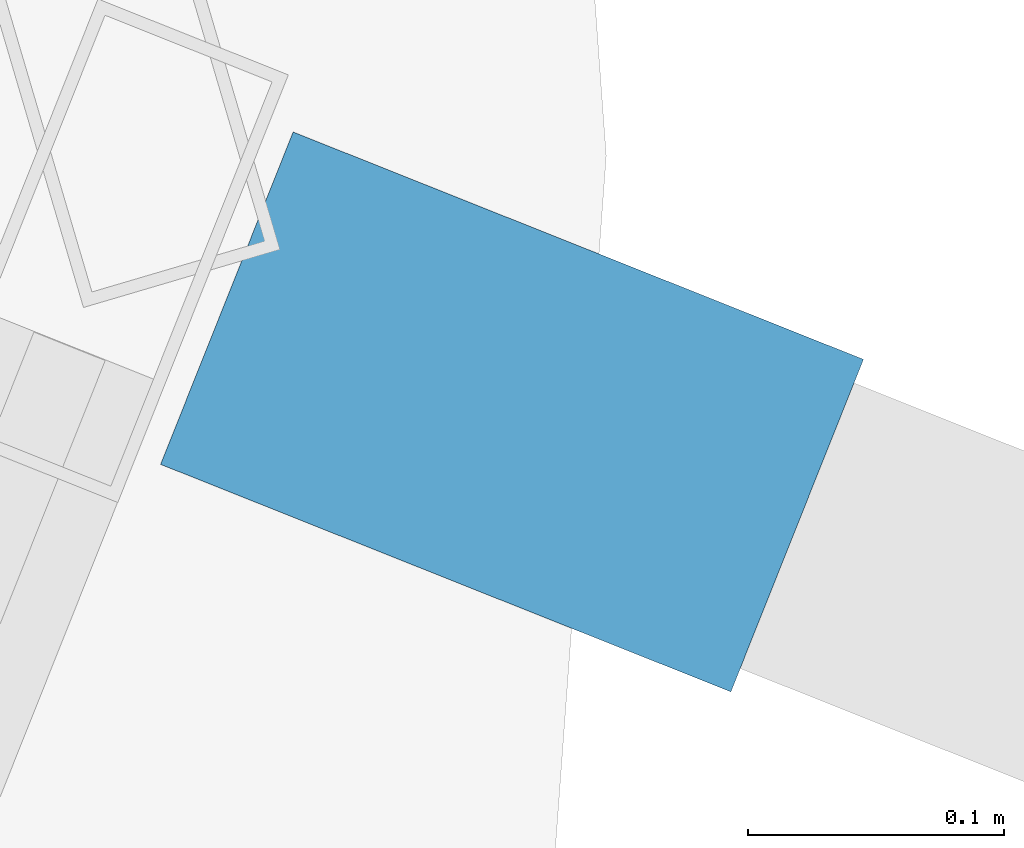
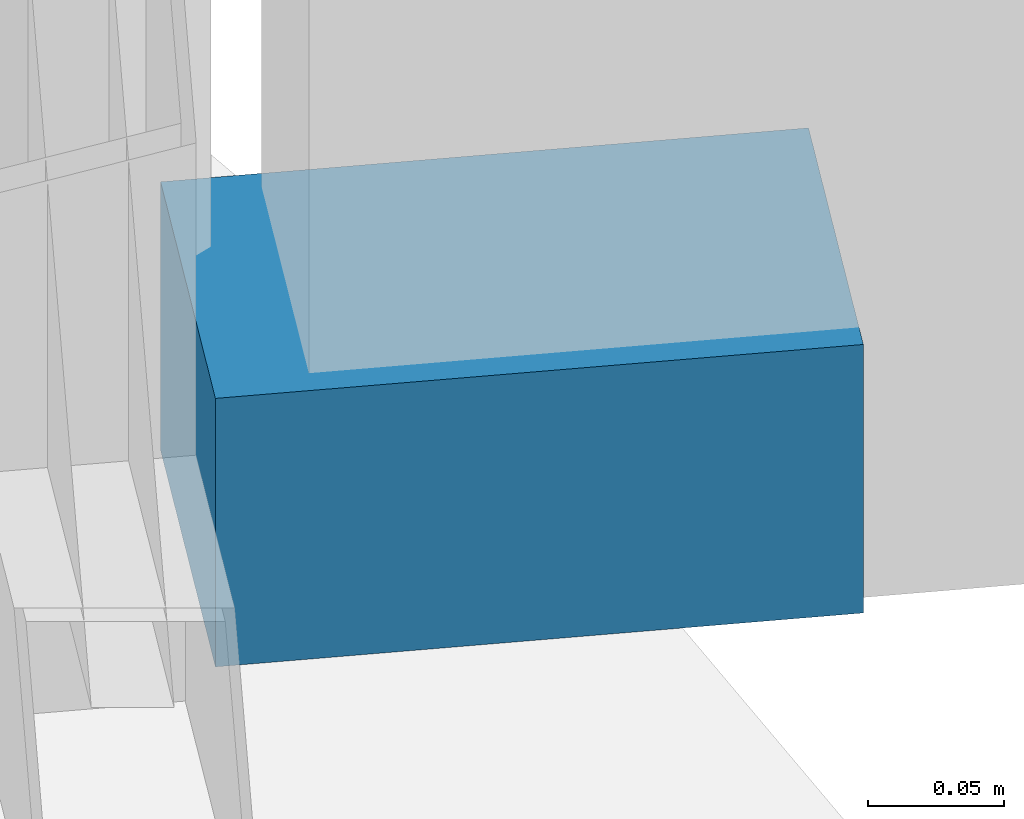
# One storey, part 29 of 33: 1 discrete accessory.
"""IFC4 building model written with IfcOpenShell, lengths in metres."""

from ifc_helpers import new_model, si_unit, direction, frame, origin, origin_2d, place, context, subcontext, project, spatial, rectangle, extrude, material, type_object, element, save


model = new_model("IFC4")

# Units and contexts
model_context = context("Model", 3, precision=1e-05, world=origin(), true_north=direction((0.0, 1.0)))
body_context = subcontext(model_context, "Body", "Model", "MODEL_VIEW")
ifc_project = project(units=[si_unit("LENGTHUNIT", "METRE"), si_unit("AREAUNIT", "SQUARE_METRE"), si_unit("VOLUMEUNIT", "CUBIC_METRE"), si_unit("PLANEANGLEUNIT", "RADIAN"), si_unit("MASSUNIT", "GRAM", prefix="KILO")], contexts=[model_context])

# Site, building, storey
site_placement = place(None, origin())
site = spatial("IfcSite", under=ifc_project, at=site_placement, CompositionType="ELEMENT")
building_placement = place(site_placement, origin())
building = spatial("IfcBuilding", under=site, at=building_placement, Name="Kazevale Care Tower and Concert Hall", CompositionType="ELEMENT")
storey_placement = place(building_placement, frame((0.0, 0.0, 31.199951171875)))
storey = spatial("IfcBuildingStorey", under=building, at=storey_placement, Name="L07", CompositionType="ELEMENT", Elevation=31.199951171875)

# Discrete accessory
ifc_material = material(Name="Stainless Steel 316", Category="steel")
discrete_accessory_type = type_object("IfcDiscreteAccessoryType", Name="Facade Fin Stainless Anchor Bracket BRK-1", PredefinedType="BRACKET", material=ifc_material)
discrete_accessory_placement = place(storey_placement, frame((80.76318359375, 37.89990234375, 0.0), z_axis=(0.0, 0.0, 1.0), x_axis=(0.928874213199, -0.370395324019, 0.0)))
element("IfcDiscreteAccessory", 1, at=discrete_accessory_placement, inside=storey, type_object=discrete_accessory_type, Name="cw:L07:f01:brk", PredefinedType="BRACKET", context=body_context, shape_type="SweptSolid", body=[
    extrude(rectangle(XDim=0.239990234375, YDim=0.139892578125, at=origin_2d()), origin(), (0.0, 0.0, 1.0), 0.1201171875),
])

save(model, "model.ifc")
